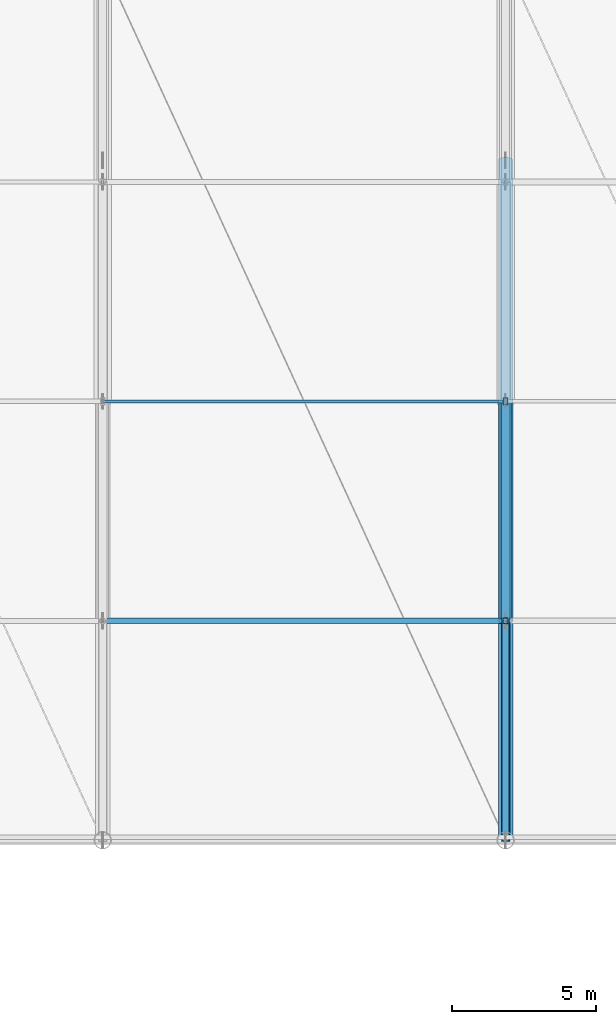
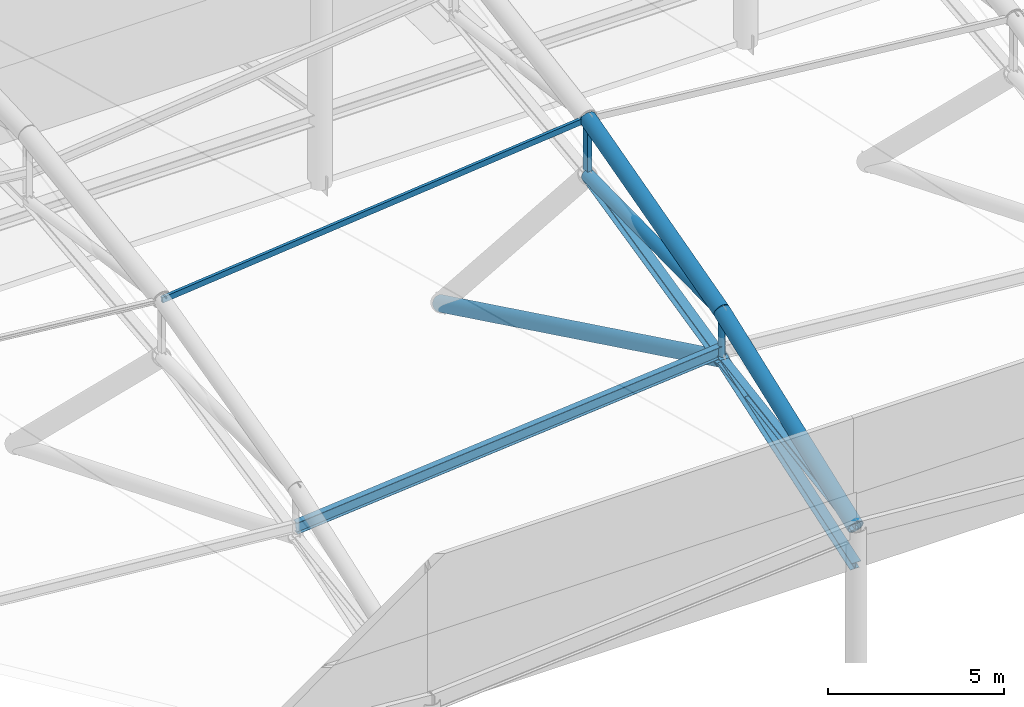
# One storey, part 27 of 113: 11 members.
"""IFC4 building model written with IfcOpenShell, lengths in metres."""

from ifc_helpers import new_model, si_unit, direction, frame, origin, origin_2d, place, context, subcontext, project, spatial, hollow_rectangle, hollow_circle, i_section, extrude, material, material_profile, profile_set, type_object, element, save


model = new_model("IFC4")

# Units and contexts
model_context = context("Model", 3, precision=1e-05, world=origin(), true_north=direction((0.0, 1.0)))
body_context = subcontext(model_context, "Body", "Model", "MODEL_VIEW")
ifc_project = project(units=[si_unit("LENGTHUNIT", "METRE"), si_unit("AREAUNIT", "SQUARE_METRE"), si_unit("VOLUMEUNIT", "CUBIC_METRE"), si_unit("PLANEANGLEUNIT", "RADIAN"), si_unit("MASSUNIT", "GRAM", prefix="KILO")], contexts=[model_context])

# Site, building, storey
site_placement = place(None, origin())
site = spatial("IfcSite", under=ifc_project, at=site_placement, CompositionType="ELEMENT")
building_placement = place(site_placement, origin())
building = spatial("IfcBuilding", under=site, at=building_placement, Name="Linyun Crest Stadium", CompositionType="ELEMENT")
storey_placement = place(building_placement, frame((0.0, 0.0, 26.39990234375)))
storey = spatial("IfcBuildingStorey", under=building, at=storey_placement, Name="L06", CompositionType="ELEMENT", Elevation=26.39990234375)

# Members
ifc_material_1 = material(Name="Steel Q355C", Category="steel")
ifc_material_profile_1 = material_profile(ifc_material_1, hollow_rectangle(XDim=0.10009765625, YDim=0.199951171875, WallThickness=0.008056640625, at=origin_2d()), Name="RHS 200x100x8")
ifc_profile_set_1 = profile_set([ifc_material_profile_1], Name="Steel Q355C")
member_type_1 = type_object("IfcMemberType", Name="AR02", PredefinedType="USERDEFINED", material=ifc_profile_set_1)
member_1_placement = place(storey_placement, frame((-14.0, 76.25, 9.899169921875), z_axis=(0.995017241541, 0.0, 0.099703004149), x_axis=(0.0, 1.0, 0.0)))
element("IfcMember", 1, at=member_1_placement, inside=storey, type_object=member_type_1, Name="Art Nouveau canopy arch rib AR02 V3 463", ObjectType="ARCH RIB", PredefinedType="USERDEFINED", context=body_context, shape_type="SweptSolid", body=[
    extrude(hollow_rectangle(XDim=0.10009765625, YDim=0.199951171875, WallThickness=0.008056640625, at=origin_2d()), origin(), (0.0, 0.0, 1.0), 14.070068359375),
])
ifc_material_2 = material(Name="Steel Q355B", Category="steel")
ifc_material_profile_2 = material_profile(ifc_material_2, i_section(OverallWidth=0.199951171875, OverallDepth=0.39990234375, WebThickness=0.008056640625, FlangeThickness=0.012939453125, at=origin_2d()), Name="HN 400x200")
ifc_profile_set_2 = profile_set([ifc_material_profile_2], Name="Steel Q355B")
member_type_2 = type_object("IfcMemberType", Name="PR03", PredefinedType="PURLIN", material=ifc_profile_set_2)
member_2_placement = place(storey_placement, frame((-14.0, 68.625, 6.614013671875), z_axis=(0.996017678928, 0.0, 0.089155949113), x_axis=(0.0, 1.0, 0.0)))
element("IfcMember", 2, at=member_2_placement, inside=storey, type_object=member_type_2, Name="Roof canopy purlin PR03 V3 461", PredefinedType="PURLIN", context=body_context, shape_type="SweptSolid", body=[
    extrude(i_section(OverallWidth=0.199951171875, OverallDepth=0.39990234375, WebThickness=0.008056640625, FlangeThickness=0.012939453125, at=origin_2d()), origin(), (0.0, 0.0, 1.0), 14.055908203125),
])
ifc_material_3 = material(Name="Steel Q420C", Category="steel")
ifc_material_profile_3 = material_profile(ifc_material_3, hollow_circle(Radius=0.25390625, WallThickness=0.02490234375, at=origin_2d()), Name="CHS 508x25")
ifc_profile_set_3 = profile_set([ifc_material_profile_3], Name="Steel Q420C")
member_type_3 = type_object("IfcMemberType", Name="TC01", PredefinedType="CHORD", material=ifc_profile_set_3)
member_3_placement = place(storey_placement, frame((0.0, 76.25, 11.302001953125), z_axis=(0.0, -0.964911252302, -0.262576227373), x_axis=(1.0, 0.0, 0.0)))
element("IfcMember", 3, at=member_3_placement, inside=storey, type_object=member_type_3, Name="Roof truss top chord TC01 V3 408", PredefinedType="CHORD", context=body_context, shape_type="SweptSolid", body=[
    extrude(hollow_circle(Radius=0.25390625, WallThickness=0.02490234375, at=origin_2d()), origin(), (0.0, 0.0, 1.0), 7.90234375),
])
member_4_placement = place(storey_placement, frame((0.0, 68.625, 9.22705078125), z_axis=(0.0, -0.935736842914, -0.352698966278), x_axis=(1.0, 0.0, 0.0)))
element("IfcMember", 4, at=member_4_placement, inside=storey, type_object=member_type_3, Name="Roof truss top chord TC01 V3 412", PredefinedType="CHORD", context=body_context, shape_type="SweptSolid", body=[
    extrude(hollow_circle(Radius=0.25390625, WallThickness=0.02490234375, at=origin_2d()), origin(), (0.0, 0.0, 1.0), 8.148681640625),
])
member_5_placement = place(storey_placement, frame((0.0, 84.625, -0.21484375), z_axis=(0.0, -0.899366655037, 0.437195173587), x_axis=(1.0, 0.0, 0.0)))
element("IfcMember", 5, at=member_5_placement, inside=storey, type_object=member_type_3, Name="Roof arch forward V-strut TC01 V3 417", PredefinedType="CHORD", context=body_context, shape_type="SweptSolid", body=[
    extrude(hollow_circle(Radius=0.25390625, WallThickness=0.02490234375, at=origin_2d()), origin(), (0.0, 0.0, 1.0), 17.790283203125),
])
ifc_material_4 = material(Name="Steel Q355C", Category="steel")
ifc_material_profile_4 = material_profile(ifc_material_4, i_section(OverallWidth=0.300048828125, OverallDepth=0.300048828125, WebThickness=0.010009765625, FlangeThickness=0.014892578125, at=origin_2d()), Name="HW 300x300")
ifc_profile_set_4 = profile_set([ifc_material_profile_4], Name="Steel Q355C")
member_type_4 = type_object("IfcMemberType", Name="TC03", PredefinedType="CHORD", material=ifc_profile_set_4)
member_6_placement = place(storey_placement, frame((0.0, 76.25, 9.326171875), z_axis=(0.0, -0.97429120452, -0.22529236293), x_axis=(1.0, 0.0, 0.0)))
element("IfcMember", 6, at=member_6_placement, inside=storey, type_object=member_type_4, Name="Roof truss bottom chord TC03 V3 409", PredefinedType="CHORD", context=body_context, shape_type="SweptSolid", body=[
    extrude(i_section(OverallWidth=0.300048828125, OverallDepth=0.300048828125, WebThickness=0.010009765625, FlangeThickness=0.014892578125, at=origin_2d()), origin(), (0.0, 0.0, 1.0), 7.826171875),
])
member_7_placement = place(storey_placement, frame((0.0, 68.625, 7.56298828125), z_axis=(0.0, -0.94792179259, -0.318503179157), x_axis=(1.0, 0.0, 0.0)))
element("IfcMember", 7, at=member_7_placement, inside=storey, type_object=member_type_4, Name="Roof truss bottom chord TC03 V3 413", PredefinedType="CHORD", context=body_context, shape_type="SweptSolid", body=[
    extrude(i_section(OverallWidth=0.300048828125, OverallDepth=0.300048828125, WebThickness=0.010009765625, FlangeThickness=0.014892578125, at=origin_2d()), origin(), (0.0, 0.0, 1.0), 8.0439453125),
])
ifc_material_5 = material(Name="Steel Q420C", Category="steel")
ifc_material_profile_5 = material_profile(ifc_material_5, hollow_circle(Radius=0.202880859375, WallThickness=0.02001953125, at=origin_2d()), Name="CHS 406x20")
ifc_profile_set_5 = profile_set([ifc_material_profile_5], Name="Steel Q420C")
member_type_5 = type_object("IfcMemberType", Name="TD03", PredefinedType="BRACE", material=ifc_profile_set_5)
member_8_placement = place(storey_placement, frame((0.0, 76.25, 9.326171875), z_axis=(0.0, -0.999915517367, -0.012998389474), x_axis=(1.0, 0.0, 0.0)))
element("IfcMember", 8, at=member_8_placement, inside=storey, type_object=member_type_5, Name="Roof truss diagonal TD03 V3 410", PredefinedType="BRACE", context=body_context, shape_type="SweptSolid", body=[
    extrude(hollow_circle(Radius=0.202880859375, WallThickness=0.02001953125, at=origin_2d()), origin(), (0.0, 0.0, 1.0), 7.625732421875),
])
ifc_material_6 = material(Name="Steel Q355C", Category="steel")
ifc_material_profile_6 = material_profile(ifc_material_6, i_section(OverallWidth=0.25, OverallDepth=0.25, WebThickness=0.009033203125, FlangeThickness=0.013916015625, at=origin_2d()), Name="HW 250x250")
ifc_profile_set_6 = profile_set([ifc_material_profile_6], Name="Steel Q355C")
member_type_6 = type_object("IfcMemberType", Name="TD04", PredefinedType="BRACE", material=ifc_profile_set_6)
member_9_placement = place(storey_placement, frame((0.0, 68.625, 7.56298828125), z_axis=(0.0, -0.987642677341, -0.156722499645), x_axis=(1.0, 0.0, 0.0)))
element("IfcMember", 9, at=member_9_placement, inside=storey, type_object=member_type_6, Name="Roof truss diagonal TD04 V3 414", PredefinedType="BRACE", context=body_context, shape_type="SweptSolid", body=[
    extrude(i_section(OverallWidth=0.25, OverallDepth=0.25, WebThickness=0.009033203125, FlangeThickness=0.013916015625, at=origin_2d()), origin(), (0.0, 0.0, 1.0), 7.720458984375),
])
ifc_material_7 = material(Name="Steel Q355C", Category="steel")
ifc_material_profile_7 = material_profile(ifc_material_7, hollow_circle(Radius=0.109619140625, WallThickness=0.011962890625, at=origin_2d()), Name="CHS 219x12")
ifc_profile_set_7 = profile_set([ifc_material_profile_7], Name="Steel Q355C")
member_type_7 = type_object("IfcMemberType", Name="TV01", PredefinedType="STRUT", material=ifc_profile_set_7)
member_10_placement = place(storey_placement, frame((0.0, 68.625, 7.56298828125), z_axis=(0.0, 0.0, 1.0), x_axis=(1.0, 0.0, 0.0)))
element("IfcMember", 10, at=member_10_placement, inside=storey, type_object=member_type_7, Name="Roof vertical strut TV01 V3 415", PredefinedType="STRUT", context=body_context, shape_type="SweptSolid", body=[
    extrude(hollow_circle(Radius=0.109619140625, WallThickness=0.011962890625, at=origin_2d()), origin(), (0.0, 0.0, 1.0), 1.6640625),
])
ifc_material_8 = material(Name="Steel Q355C", Category="steel")
ifc_material_profile_8 = material_profile(ifc_material_8, hollow_rectangle(XDim=0.14990234375, YDim=0.25, WallThickness=0.010009765625, at=origin_2d()), Name="RHS 250x150x10")
ifc_profile_set_8 = profile_set([ifc_material_profile_8], Name="Steel Q355C")
member_type_8 = type_object("IfcMemberType", Name="TV03", PredefinedType="STRUT", material=ifc_profile_set_8)
member_11_placement = place(storey_placement, frame((0.0, 76.25, 9.326171875), z_axis=(0.0, 0.0, 1.0), x_axis=(1.0, 0.0, 0.0)))
element("IfcMember", 11, at=member_11_placement, inside=storey, type_object=member_type_8, Name="Roof vertical strut TV03 V3 411", PredefinedType="STRUT", context=body_context, shape_type="SweptSolid", body=[
    extrude(hollow_rectangle(XDim=0.14990234375, YDim=0.25, WallThickness=0.010009765625, at=origin_2d()), origin(), (0.0, 0.0, 1.0), 1.975830078125),
])

save(model, "model.ifc")
